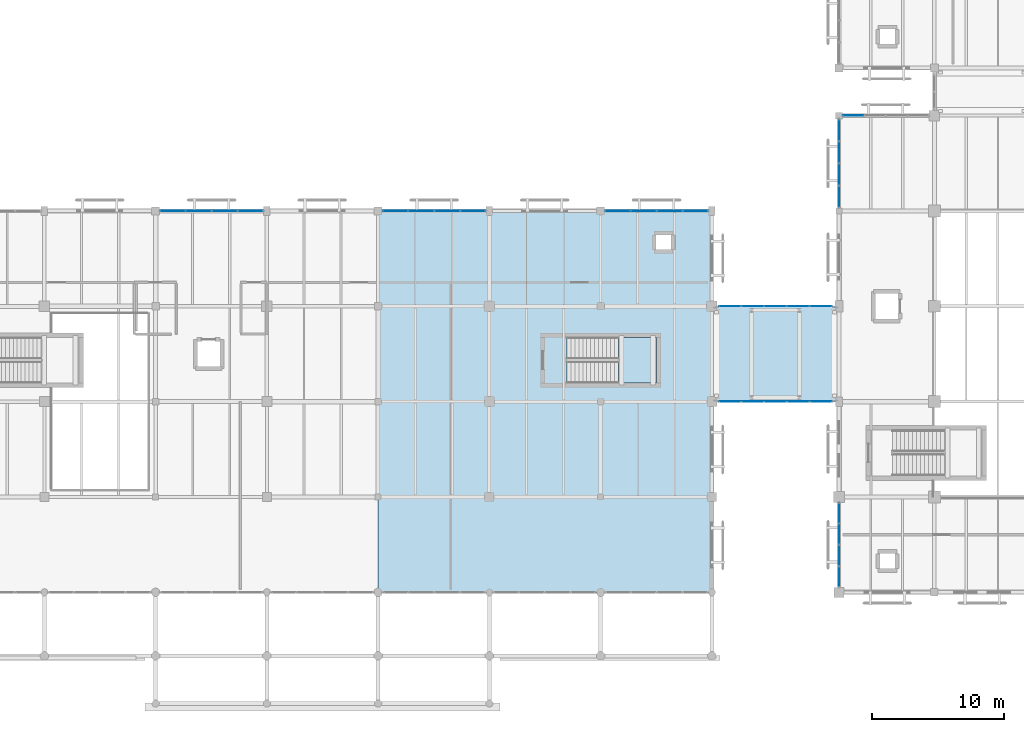
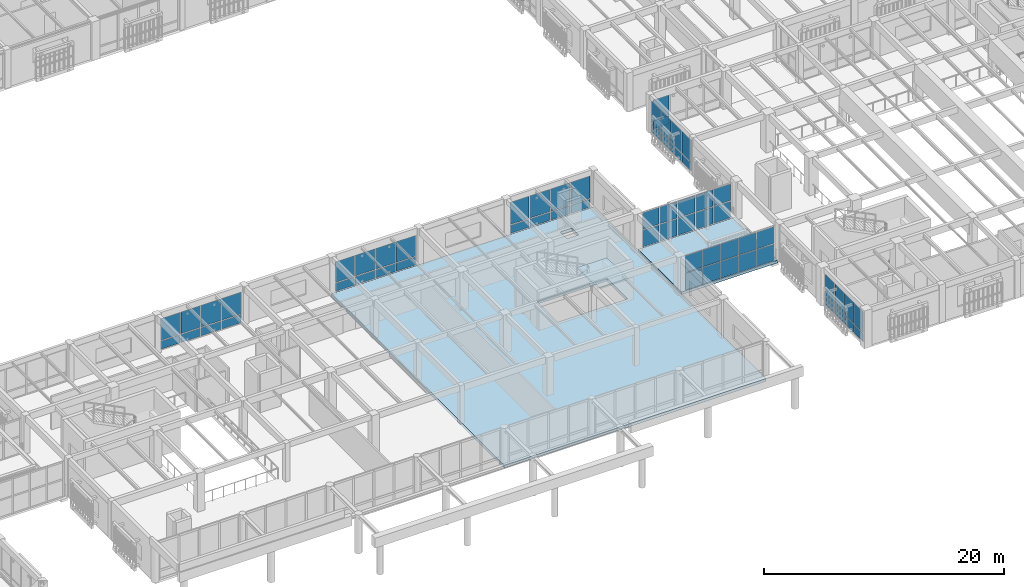
# One storey, part 119 of 170: 62 plates, 3 slabs, 9 elements without a shape of their own.
"""IFC4 building model written with IfcOpenShell, lengths in metres."""

from ifc_helpers import new_model, si_unit, direction, frame, origin, origin_2d, place, context, subcontext, project, spatial, polyline, rectangle, outline, extrude, material, layer, layer_set, type_object, element, aggregate, save


model = new_model("IFC4")

# Units and contexts
model_context = context("Model", 3, precision=1e-05, world=origin(), true_north=direction((0.0, 1.0)))
body_context = subcontext(model_context, "Body", "Model", "MODEL_VIEW")
ifc_project = project(units=[si_unit("LENGTHUNIT", "METRE"), si_unit("AREAUNIT", "SQUARE_METRE"), si_unit("VOLUMEUNIT", "CUBIC_METRE"), si_unit("PLANEANGLEUNIT", "RADIAN"), si_unit("MASSUNIT", "GRAM", prefix="KILO")], contexts=[model_context])

# Site, building, storey
site_placement = place(None, origin())
site = spatial("IfcSite", under=ifc_project, at=site_placement, CompositionType="ELEMENT")
building_placement = place(site_placement, origin())
building = spatial("IfcBuilding", under=site, at=building_placement, Name="Mazaris Harbour Polytechnic", CompositionType="ELEMENT")
storey_placement = place(building_placement, frame((0.0, 0.0, 5.39990234375)))
storey = spatial("IfcBuildingStorey", under=building, at=storey_placement, Name="L01", CompositionType="ELEMENT", Elevation=5.39990234375)

# Slab
ifc_material_1 = material(Name="Glulam GL28h and Concrete C30/37", Category="concrete")
ifc_layer_1 = layer(ifc_material_1, 0.264892578125, Name="Glulam GL28h and Concrete C30/37")
ifc_layer_set_1 = layer_set([ifc_layer_1], Name="Glulam GL28h and Concrete C30/37")
slab_type_1 = type_object("IfcSlabType", Name="CLT Composite Floor 265", PredefinedType="FLOOR", material=ifc_layer_set_1)
slab_1_placement = place(storey_placement, frame((0.0, 0.0, -0.264892578125)))
element("IfcSlab", 1, at=slab_1_placement, inside=storey, type_object=slab_type_1, Name="PB-E1 L01 Bridge Deck", PredefinedType="FLOOR", context=body_context, shape_type="SweptSolid", body=[
    extrude(outline(polyline([(122.25, 21.60009765625), (122.25, 28.800048828125), (112.949951171875, 28.800048828125), (112.949951171875, 21.60009765625), (122.25, 21.60009765625)])), origin(), (0.0, 0.0, 1.0), 0.264892578125),
])

# Curtain wall, plates
ifc_material_2 = material(Name="Anodised Bronze Aluminium and Low-E Glass", Category="aluminium")
ifc_layer_2 = layer(ifc_material_2, 0.159912109375, Name="Anodised Bronze Aluminium and Low-E Glass")
ifc_layer_set_2 = layer_set([ifc_layer_2], Name="Anodised Bronze Aluminium and Low-E Glass")
curtain_wall_type_1 = type_object("IfcCurtainWallType", Name="Cloister Court Curtain Wall", PredefinedType="NOTDEFINED", material=ifc_layer_set_2)
curtain_wall_1_placement = place(storey_placement, origin())
curtain_wall_1 = element("IfcCurtainWall", 2, at=curtain_wall_1_placement, inside=storey, type_object=curtain_wall_type_1, Name="V2 L01 Curtain Wall 43", PredefinedType="NOTDEFINED")
ifc_material_3 = material(Name="Low-E Double Glazing", Category="glass")
ifc_layer_3 = layer(ifc_material_3, 0.028076171875, Name="Low-E Double Glazing")
ifc_layer_set_3 = layer_set([ifc_layer_3], Name="Low-E Double Glazing")
plate_type = type_object("IfcPlateType", Name="Low-E Vision Glass Panel 28", PredefinedType="CURTAIN_PANEL", material=ifc_layer_set_3)
plate_1_placement = place(storey_placement, frame((123.482666015625, 43.199951171875, 0.080078125), z_axis=(0.0, 0.0, 1.0), x_axis=(1.0, 0.0, 0.0)))
plate_1 = element("IfcPlate", 3, at=plate_1_placement, type_object=plate_type, Name="CW-02 panel 1.1", PredefinedType="CURTAIN_PANEL", context=body_context, shape_type="SweptSolid", body=[
    extrude(rectangle(XDim=1.521484375, YDim=0.028076171875, at=origin_2d()), origin(), (0.0, 0.0, 1.0), 0.830078125),
])
plate_2_placement = place(storey_placement, frame((123.482666015625, 43.199951171875, 0.990234375), z_axis=(0.0, 0.0, 1.0), x_axis=(1.0, 0.0, 0.0)))
plate_2 = element("IfcPlate", 4, at=plate_2_placement, type_object=plate_type, Name="CW-02 panel 1.2", PredefinedType="CURTAIN_PANEL", context=body_context, shape_type="SweptSolid", body=[
    extrude(rectangle(XDim=1.521484375, YDim=0.028076171875, at=origin_2d()), origin(), (0.0, 0.0, 1.0), 2.030029296875),
])
aggregate(curtain_wall_1, [plate_1, plate_2])

curtain_wall_2_placement = place(storey_placement, origin())
curtain_wall_2 = element("IfcCurtainWall", 5, at=curtain_wall_2_placement, inside=storey, type_object=curtain_wall_type_1, Name="V2 L01 Curtain Wall 47", PredefinedType="NOTDEFINED")
plate_3_placement = place(storey_placement, frame((122.39990234375, 8.39208984375, 0.080078125), z_axis=(0.0, 0.0, 1.0), x_axis=(0.0, 1.0, 0.0)))
plate_3 = element("IfcPlate", 6, at=plate_3_placement, type_object=plate_type, Name="CW-02 panel 1.1", PredefinedType="CURTAIN_PANEL", context=body_context, shape_type="SweptSolid", body=[
    extrude(rectangle(XDim=1.490234375, YDim=0.028076171875, at=origin_2d()), origin(), (0.0, 0.0, 1.0), 0.830078125),
])
plate_4_placement = place(storey_placement, frame((122.39990234375, 8.39208984375, 0.990234375), z_axis=(0.0, 0.0, 1.0), x_axis=(0.0, 1.0, 0.0)))
plate_4 = element("IfcPlate", 7, at=plate_4_placement, type_object=plate_type, Name="CW-02 panel 1.2", PredefinedType="CURTAIN_PANEL", context=body_context, shape_type="SweptSolid", body=[
    extrude(rectangle(XDim=1.490234375, YDim=0.028076171875, at=origin_2d()), origin(), (0.0, 0.0, 1.0), 2.18994140625),
])
plate_5_placement = place(storey_placement, frame((122.39990234375, 9.982421875, 0.080078125), z_axis=(0.0, 0.0, 1.0), x_axis=(0.0, 1.0, 0.0)))
plate_5 = element("IfcPlate", 8, at=plate_5_placement, type_object=plate_type, Name="CW-02 panel 2.1", PredefinedType="CURTAIN_PANEL", context=body_context, shape_type="SweptSolid", body=[
    extrude(rectangle(XDim=1.5302734375, YDim=0.028076171875, at=origin_2d()), origin(), (0.0, 0.0, 1.0), 0.830078125),
])
plate_6_placement = place(storey_placement, frame((122.39990234375, 9.982421875, 0.990234375), z_axis=(0.0, 0.0, 1.0), x_axis=(0.0, 1.0, 0.0)))
plate_6 = element("IfcPlate", 9, at=plate_6_placement, type_object=plate_type, Name="CW-02 panel 2.2", PredefinedType="CURTAIN_PANEL", context=body_context, shape_type="SweptSolid", body=[
    extrude(rectangle(XDim=1.5302734375, YDim=0.028076171875, at=origin_2d()), origin(), (0.0, 0.0, 1.0), 2.18994140625),
])
plate_7_placement = place(storey_placement, frame((122.39990234375, 11.592529296875, 0.080078125), z_axis=(0.0, 0.0, 1.0), x_axis=(0.0, 1.0, 0.0)))
plate_7 = element("IfcPlate", 10, at=plate_7_placement, type_object=plate_type, Name="CW-02 panel 3.1", PredefinedType="CURTAIN_PANEL", context=body_context, shape_type="SweptSolid", body=[
    extrude(rectangle(XDim=1.5302734375, YDim=0.028076171875, at=origin_2d()), origin(), (0.0, 0.0, 1.0), 0.830078125),
])
plate_8_placement = place(storey_placement, frame((122.39990234375, 11.592529296875, 0.990234375), z_axis=(0.0, 0.0, 1.0), x_axis=(0.0, 1.0, 0.0)))
plate_8 = element("IfcPlate", 11, at=plate_8_placement, type_object=plate_type, Name="CW-02 panel 3.2", PredefinedType="CURTAIN_PANEL", context=body_context, shape_type="SweptSolid", body=[
    extrude(rectangle(XDim=1.5302734375, YDim=0.028076171875, at=origin_2d()), origin(), (0.0, 0.0, 1.0), 2.18994140625),
])
plate_9_placement = place(storey_placement, frame((122.39990234375, 13.182861328125, 0.080078125), z_axis=(0.0, 0.0, 1.0), x_axis=(0.0, 1.0, 0.0)))
plate_9 = element("IfcPlate", 12, at=plate_9_placement, type_object=plate_type, Name="CW-02 panel 4.1", PredefinedType="CURTAIN_PANEL", context=body_context, shape_type="SweptSolid", body=[
    extrude(rectangle(XDim=1.490234375, YDim=0.028076171875, at=origin_2d()), origin(), (0.0, 0.0, 1.0), 0.830078125),
])
plate_10_placement = place(storey_placement, frame((122.39990234375, 13.182861328125, 0.990234375), z_axis=(0.0, 0.0, 1.0), x_axis=(0.0, 1.0, 0.0)))
plate_10 = element("IfcPlate", 13, at=plate_10_placement, type_object=plate_type, Name="CW-02 panel 4.2", PredefinedType="CURTAIN_PANEL", context=body_context, shape_type="SweptSolid", body=[
    extrude(rectangle(XDim=1.490234375, YDim=0.028076171875, at=origin_2d()), origin(), (0.0, 0.0, 1.0), 2.18994140625),
])
aggregate(curtain_wall_2, [plate_3, plate_4, plate_5, plate_6, plate_7, plate_8, plate_9, plate_10])

curtain_wall_3_placement = place(storey_placement, origin())
curtain_wall_3 = element("IfcCurtainWall", 14, at=curtain_wall_3_placement, inside=storey, type_object=curtain_wall_type_1, Name="V2 L01 Curtain Wall 48", PredefinedType="NOTDEFINED")
plate_11_placement = place(storey_placement, frame((122.39990234375, 37.07958984375, 0.080078125), z_axis=(0.0, 0.0, 1.0), x_axis=(0.0, 1.0, 0.0)))
plate_11 = element("IfcPlate", 15, at=plate_11_placement, type_object=plate_type, Name="CW-02 panel 1.1", PredefinedType="CURTAIN_PANEL", context=body_context, shape_type="SweptSolid", body=[
    extrude(rectangle(XDim=1.565185546875, YDim=0.028076171875, at=origin_2d()), origin(), (0.0, 0.0, 1.0), 0.830078125),
])
plate_12_placement = place(storey_placement, frame((122.39990234375, 37.07958984375, 0.989990234375), z_axis=(0.0, 0.0, 1.0), x_axis=(0.0, 1.0, 0.0)))
plate_12 = element("IfcPlate", 16, at=plate_12_placement, type_object=plate_type, Name="CW-02 panel 1.2", PredefinedType="CURTAIN_PANEL", context=body_context, shape_type="SweptSolid", body=[
    extrude(rectangle(XDim=1.565185546875, YDim=0.028076171875, at=origin_2d()), origin(), (0.0, 0.0, 1.0), 2.25),
])
plate_13_placement = place(storey_placement, frame((122.39990234375, 38.744873046875, 0.080078125), z_axis=(0.0, 0.0, 1.0), x_axis=(0.0, 1.0, 0.0)))
plate_13 = element("IfcPlate", 17, at=plate_13_placement, type_object=plate_type, Name="CW-02 panel 2.1", PredefinedType="CURTAIN_PANEL", context=body_context, shape_type="SweptSolid", body=[
    extrude(rectangle(XDim=1.605224609375, YDim=0.028076171875, at=origin_2d()), origin(), (0.0, 0.0, 1.0), 0.830078125),
])
plate_14_placement = place(storey_placement, frame((122.39990234375, 38.744873046875, 0.989990234375), z_axis=(0.0, 0.0, 1.0), x_axis=(0.0, 1.0, 0.0)))
plate_14 = element("IfcPlate", 18, at=plate_14_placement, type_object=plate_type, Name="CW-02 panel 2.2", PredefinedType="CURTAIN_PANEL", context=body_context, shape_type="SweptSolid", body=[
    extrude(rectangle(XDim=1.605224609375, YDim=0.028076171875, at=origin_2d()), origin(), (0.0, 0.0, 1.0), 2.25),
])
plate_15_placement = place(storey_placement, frame((122.39990234375, 40.43017578125, 0.080078125), z_axis=(0.0, 0.0, 1.0), x_axis=(0.0, 1.0, 0.0)))
plate_15 = element("IfcPlate", 19, at=plate_15_placement, type_object=plate_type, Name="CW-02 panel 3.1", PredefinedType="CURTAIN_PANEL", context=body_context, shape_type="SweptSolid", body=[
    extrude(rectangle(XDim=1.605224609375, YDim=0.028076171875, at=origin_2d()), origin(), (0.0, 0.0, 1.0), 0.830078125),
])
plate_16_placement = place(storey_placement, frame((122.39990234375, 40.43017578125, 0.989990234375), z_axis=(0.0, 0.0, 1.0), x_axis=(0.0, 1.0, 0.0)))
plate_16 = element("IfcPlate", 20, at=plate_16_placement, type_object=plate_type, Name="CW-02 panel 3.2", PredefinedType="CURTAIN_PANEL", context=body_context, shape_type="SweptSolid", body=[
    extrude(rectangle(XDim=1.605224609375, YDim=0.028076171875, at=origin_2d()), origin(), (0.0, 0.0, 1.0), 2.25),
])
plate_17_placement = place(storey_placement, frame((122.39990234375, 42.095458984375, 0.080078125), z_axis=(0.0, 0.0, 1.0), x_axis=(0.0, 1.0, 0.0)))
plate_17 = element("IfcPlate", 21, at=plate_17_placement, type_object=plate_type, Name="CW-02 panel 4.1", PredefinedType="CURTAIN_PANEL", context=body_context, shape_type="SweptSolid", body=[
    extrude(rectangle(XDim=1.565185546875, YDim=0.028076171875, at=origin_2d()), origin(), (0.0, 0.0, 1.0), 0.830078125),
])
plate_18_placement = place(storey_placement, frame((122.39990234375, 42.095458984375, 0.989990234375), z_axis=(0.0, 0.0, 1.0), x_axis=(0.0, 1.0, 0.0)))
plate_18 = element("IfcPlate", 22, at=plate_18_placement, type_object=plate_type, Name="CW-02 panel 4.2", PredefinedType="CURTAIN_PANEL", context=body_context, shape_type="SweptSolid", body=[
    extrude(rectangle(XDim=1.565185546875, YDim=0.028076171875, at=origin_2d()), origin(), (0.0, 0.0, 1.0), 2.25),
])
aggregate(curtain_wall_3, [plate_11, plate_12, plate_13, plate_14, plate_15, plate_16, plate_17, plate_18])

curtain_wall_4_placement = place(storey_placement, origin())
curtain_wall_4 = element("IfcCurtainWall", 23, at=curtain_wall_4_placement, inside=storey, type_object=curtain_wall_type_1, Name="V3 L01 Curtain Wall 76", PredefinedType="NOTDEFINED")
plate_19_placement = place(storey_placement, frame((72.09521484375, 36.0, 0.080078125), z_axis=(0.0, 0.0, 1.0), x_axis=(1.0, 0.0, 0.0)))
plate_19 = element("IfcPlate", 24, at=plate_19_placement, type_object=plate_type, Name="CW-02 panel 1.1", PredefinedType="CURTAIN_PANEL", context=body_context, shape_type="SweptSolid", body=[
    extrude(rectangle(XDim=1.846435546875, YDim=0.028076171875, at=origin_2d()), origin(), (0.0, 0.0, 1.0), 0.830078125),
])
plate_20_placement = place(storey_placement, frame((72.09521484375, 36.0, 0.990234375), z_axis=(0.0, 0.0, 1.0), x_axis=(1.0, 0.0, 0.0)))
plate_20 = element("IfcPlate", 25, at=plate_20_placement, type_object=plate_type, Name="CW-02 panel 1.2", PredefinedType="CURTAIN_PANEL", context=body_context, shape_type="SweptSolid", body=[
    extrude(rectangle(XDim=1.846435546875, YDim=0.028076171875, at=origin_2d()), origin(), (0.0, 0.0, 1.0), 2.199951171875),
])
plate_21_placement = place(storey_placement, frame((74.041748046875, 36.0, 0.080078125), z_axis=(0.0, 0.0, 1.0), x_axis=(1.0, 0.0, 0.0)))
plate_21 = element("IfcPlate", 26, at=plate_21_placement, type_object=plate_type, Name="CW-02 panel 2.1", PredefinedType="CURTAIN_PANEL", context=body_context, shape_type="SweptSolid", body=[
    extrude(rectangle(XDim=1.886474609375, YDim=0.028076171875, at=origin_2d()), origin(), (0.0, 0.0, 1.0), 0.830078125),
])
plate_22_placement = place(storey_placement, frame((74.041748046875, 36.0, 0.990234375), z_axis=(0.0, 0.0, 1.0), x_axis=(1.0, 0.0, 0.0)))
plate_22 = element("IfcPlate", 27, at=plate_22_placement, type_object=plate_type, Name="CW-02 panel 2.2", PredefinedType="CURTAIN_PANEL", context=body_context, shape_type="SweptSolid", body=[
    extrude(rectangle(XDim=1.886474609375, YDim=0.028076171875, at=origin_2d()), origin(), (0.0, 0.0, 1.0), 2.199951171875),
])
plate_23_placement = place(storey_placement, frame((76.00830078125, 36.0, 0.080078125), z_axis=(0.0, 0.0, 1.0), x_axis=(1.0, 0.0, 0.0)))
plate_23 = element("IfcPlate", 28, at=plate_23_placement, type_object=plate_type, Name="CW-02 panel 3.1", PredefinedType="CURTAIN_PANEL", context=body_context, shape_type="SweptSolid", body=[
    extrude(rectangle(XDim=1.886474609375, YDim=0.028076171875, at=origin_2d()), origin(), (0.0, 0.0, 1.0), 0.830078125),
])
plate_24_placement = place(storey_placement, frame((76.00830078125, 36.0, 0.990234375), z_axis=(0.0, 0.0, 1.0), x_axis=(1.0, 0.0, 0.0)))
plate_24 = element("IfcPlate", 29, at=plate_24_placement, type_object=plate_type, Name="CW-02 panel 3.2", PredefinedType="CURTAIN_PANEL", context=body_context, shape_type="SweptSolid", body=[
    extrude(rectangle(XDim=1.886474609375, YDim=0.028076171875, at=origin_2d()), origin(), (0.0, 0.0, 1.0), 2.199951171875),
])
plate_25_placement = place(storey_placement, frame((77.954833984375, 36.0, 0.080078125), z_axis=(0.0, 0.0, 1.0), x_axis=(1.0, 0.0, 0.0)))
plate_25 = element("IfcPlate", 30, at=plate_25_placement, type_object=plate_type, Name="CW-02 panel 4.1", PredefinedType="CURTAIN_PANEL", context=body_context, shape_type="SweptSolid", body=[
    extrude(rectangle(XDim=1.846435546875, YDim=0.028076171875, at=origin_2d()), origin(), (0.0, 0.0, 1.0), 0.830078125),
])
plate_26_placement = place(storey_placement, frame((77.954833984375, 36.0, 0.990234375), z_axis=(0.0, 0.0, 1.0), x_axis=(1.0, 0.0, 0.0)))
plate_26 = element("IfcPlate", 31, at=plate_26_placement, type_object=plate_type, Name="CW-02 panel 4.2", PredefinedType="CURTAIN_PANEL", context=body_context, shape_type="SweptSolid", body=[
    extrude(rectangle(XDim=1.846435546875, YDim=0.028076171875, at=origin_2d()), origin(), (0.0, 0.0, 1.0), 2.199951171875),
])
aggregate(curtain_wall_4, [plate_19, plate_20, plate_21, plate_22, plate_23, plate_24, plate_25, plate_26])

curtain_wall_5_placement = place(storey_placement, origin())
curtain_wall_5 = element("IfcCurtainWall", 32, at=curtain_wall_5_placement, inside=storey, type_object=curtain_wall_type_1, Name="V3 L01 Curtain Wall 77", PredefinedType="NOTDEFINED")
plate_27_placement = place(storey_placement, frame((88.895263671875, 36.0, 0.080078125), z_axis=(0.0, 0.0, 1.0), x_axis=(1.0, 0.0, 0.0)))
plate_27 = element("IfcPlate", 33, at=plate_27_placement, type_object=plate_type, Name="CW-02 panel 1.1", PredefinedType="CURTAIN_PANEL", context=body_context, shape_type="SweptSolid", body=[
    extrude(rectangle(XDim=1.846435546875, YDim=0.028076171875, at=origin_2d()), origin(), (0.0, 0.0, 1.0), 0.830078125),
])
plate_28_placement = place(storey_placement, frame((88.895263671875, 36.0, 0.989990234375), z_axis=(0.0, 0.0, 1.0), x_axis=(1.0, 0.0, 0.0)))
plate_28 = element("IfcPlate", 34, at=plate_28_placement, type_object=plate_type, Name="CW-02 panel 1.2", PredefinedType="CURTAIN_PANEL", context=body_context, shape_type="SweptSolid", body=[
    extrude(rectangle(XDim=1.846435546875, YDim=0.028076171875, at=origin_2d()), origin(), (0.0, 0.0, 1.0), 2.10009765625),
])
plate_29_placement = place(storey_placement, frame((90.841796875, 36.0, 0.080078125), z_axis=(0.0, 0.0, 1.0), x_axis=(1.0, 0.0, 0.0)))
plate_29 = element("IfcPlate", 35, at=plate_29_placement, type_object=plate_type, Name="CW-02 panel 2.1", PredefinedType="CURTAIN_PANEL", context=body_context, shape_type="SweptSolid", body=[
    extrude(rectangle(XDim=1.886474609375, YDim=0.028076171875, at=origin_2d()), origin(), (0.0, 0.0, 1.0), 0.830078125),
])
plate_30_placement = place(storey_placement, frame((90.841796875, 36.0, 0.989990234375), z_axis=(0.0, 0.0, 1.0), x_axis=(1.0, 0.0, 0.0)))
plate_30 = element("IfcPlate", 36, at=plate_30_placement, type_object=plate_type, Name="CW-02 panel 2.2", PredefinedType="CURTAIN_PANEL", context=body_context, shape_type="SweptSolid", body=[
    extrude(rectangle(XDim=1.886474609375, YDim=0.028076171875, at=origin_2d()), origin(), (0.0, 0.0, 1.0), 2.10009765625),
])
plate_31_placement = place(storey_placement, frame((92.808349609375, 36.0, 0.080078125), z_axis=(0.0, 0.0, 1.0), x_axis=(1.0, 0.0, 0.0)))
plate_31 = element("IfcPlate", 37, at=plate_31_placement, type_object=plate_type, Name="CW-02 panel 3.1", PredefinedType="CURTAIN_PANEL", context=body_context, shape_type="SweptSolid", body=[
    extrude(rectangle(XDim=1.886474609375, YDim=0.028076171875, at=origin_2d()), origin(), (0.0, 0.0, 1.0), 0.830078125),
])
plate_32_placement = place(storey_placement, frame((92.808349609375, 36.0, 0.989990234375), z_axis=(0.0, 0.0, 1.0), x_axis=(1.0, 0.0, 0.0)))
plate_32 = element("IfcPlate", 38, at=plate_32_placement, type_object=plate_type, Name="CW-02 panel 3.2", PredefinedType="CURTAIN_PANEL", context=body_context, shape_type="SweptSolid", body=[
    extrude(rectangle(XDim=1.886474609375, YDim=0.028076171875, at=origin_2d()), origin(), (0.0, 0.0, 1.0), 2.10009765625),
])
plate_33_placement = place(storey_placement, frame((94.754638671875, 36.0, 0.080078125), z_axis=(0.0, 0.0, 1.0), x_axis=(1.0, 0.0, 0.0)))
plate_33 = element("IfcPlate", 39, at=plate_33_placement, type_object=plate_type, Name="CW-02 panel 4.1", PredefinedType="CURTAIN_PANEL", context=body_context, shape_type="SweptSolid", body=[
    extrude(rectangle(XDim=1.846435546875, YDim=0.028076171875, at=origin_2d()), origin(), (0.0, 0.0, 1.0), 0.830078125),
])
plate_34_placement = place(storey_placement, frame((94.754638671875, 36.0, 0.989990234375), z_axis=(0.0, 0.0, 1.0), x_axis=(1.0, 0.0, 0.0)))
plate_34 = element("IfcPlate", 40, at=plate_34_placement, type_object=plate_type, Name="CW-02 panel 4.2", PredefinedType="CURTAIN_PANEL", context=body_context, shape_type="SweptSolid", body=[
    extrude(rectangle(XDim=1.846435546875, YDim=0.028076171875, at=origin_2d()), origin(), (0.0, 0.0, 1.0), 2.10009765625),
])
aggregate(curtain_wall_5, [plate_27, plate_28, plate_29, plate_30, plate_31, plate_32, plate_33, plate_34])

curtain_wall_6_placement = place(storey_placement, origin())
curtain_wall_6 = element("IfcCurtainWall", 41, at=curtain_wall_6_placement, inside=storey, type_object=curtain_wall_type_1, Name="V3 L01 Curtain Wall 78", PredefinedType="NOTDEFINED")
plate_35_placement = place(storey_placement, frame((105.6953125, 36.0, 0.080078125), z_axis=(0.0, 0.0, 1.0), x_axis=(1.0, 0.0, 0.0)))
plate_35 = element("IfcPlate", 42, at=plate_35_placement, type_object=plate_type, Name="CW-02 panel 1.1", PredefinedType="CURTAIN_PANEL", context=body_context, shape_type="SweptSolid", body=[
    extrude(rectangle(XDim=1.846435546875, YDim=0.028076171875, at=origin_2d()), origin(), (0.0, 0.0, 1.0), 0.830078125),
])
plate_36_placement = place(storey_placement, frame((105.6953125, 36.0, 0.990234375), z_axis=(0.0, 0.0, 1.0), x_axis=(1.0, 0.0, 0.0)))
plate_36 = element("IfcPlate", 43, at=plate_36_placement, type_object=plate_type, Name="CW-02 panel 1.2", PredefinedType="CURTAIN_PANEL", context=body_context, shape_type="SweptSolid", body=[
    extrude(rectangle(XDim=1.846435546875, YDim=0.028076171875, at=origin_2d()), origin(), (0.0, 0.0, 1.0), 2.260009765625),
])
plate_37_placement = place(storey_placement, frame((107.641845703125, 36.0, 0.080078125), z_axis=(0.0, 0.0, 1.0), x_axis=(1.0, 0.0, 0.0)))
plate_37 = element("IfcPlate", 44, at=plate_37_placement, type_object=plate_type, Name="CW-02 panel 2.1", PredefinedType="CURTAIN_PANEL", context=body_context, shape_type="SweptSolid", body=[
    extrude(rectangle(XDim=1.886474609375, YDim=0.028076171875, at=origin_2d()), origin(), (0.0, 0.0, 1.0), 0.830078125),
])
plate_38_placement = place(storey_placement, frame((107.641845703125, 36.0, 0.990234375), z_axis=(0.0, 0.0, 1.0), x_axis=(1.0, 0.0, 0.0)))
plate_38 = element("IfcPlate", 45, at=plate_38_placement, type_object=plate_type, Name="CW-02 panel 2.2", PredefinedType="CURTAIN_PANEL", context=body_context, shape_type="SweptSolid", body=[
    extrude(rectangle(XDim=1.886474609375, YDim=0.028076171875, at=origin_2d()), origin(), (0.0, 0.0, 1.0), 2.260009765625),
])
plate_39_placement = place(storey_placement, frame((109.608154296875, 36.0, 0.080078125), z_axis=(0.0, 0.0, 1.0), x_axis=(1.0, 0.0, 0.0)))
plate_39 = element("IfcPlate", 46, at=plate_39_placement, type_object=plate_type, Name="CW-02 panel 3.1", PredefinedType="CURTAIN_PANEL", context=body_context, shape_type="SweptSolid", body=[
    extrude(rectangle(XDim=1.886474609375, YDim=0.028076171875, at=origin_2d()), origin(), (0.0, 0.0, 1.0), 0.830078125),
])
plate_40_placement = place(storey_placement, frame((109.608154296875, 36.0, 0.990234375), z_axis=(0.0, 0.0, 1.0), x_axis=(1.0, 0.0, 0.0)))
plate_40 = element("IfcPlate", 47, at=plate_40_placement, type_object=plate_type, Name="CW-02 panel 3.2", PredefinedType="CURTAIN_PANEL", context=body_context, shape_type="SweptSolid", body=[
    extrude(rectangle(XDim=1.886474609375, YDim=0.028076171875, at=origin_2d()), origin(), (0.0, 0.0, 1.0), 2.260009765625),
])
plate_41_placement = place(storey_placement, frame((111.5546875, 36.0, 0.080078125), z_axis=(0.0, 0.0, 1.0), x_axis=(1.0, 0.0, 0.0)))
plate_41 = element("IfcPlate", 48, at=plate_41_placement, type_object=plate_type, Name="CW-02 panel 4.1", PredefinedType="CURTAIN_PANEL", context=body_context, shape_type="SweptSolid", body=[
    extrude(rectangle(XDim=1.846435546875, YDim=0.028076171875, at=origin_2d()), origin(), (0.0, 0.0, 1.0), 0.830078125),
])
plate_42_placement = place(storey_placement, frame((111.5546875, 36.0, 0.990234375), z_axis=(0.0, 0.0, 1.0), x_axis=(1.0, 0.0, 0.0)))
plate_42 = element("IfcPlate", 49, at=plate_42_placement, type_object=plate_type, Name="CW-02 panel 4.2", PredefinedType="CURTAIN_PANEL", context=body_context, shape_type="SweptSolid", body=[
    extrude(rectangle(XDim=1.846435546875, YDim=0.028076171875, at=origin_2d()), origin(), (0.0, 0.0, 1.0), 2.260009765625),
])
aggregate(curtain_wall_6, [plate_35, plate_36, plate_37, plate_38, plate_39, plate_40, plate_41, plate_42])

ifc_material_4 = material(Name="Anodised Bronze Aluminium and Low-E Glass", Category="aluminium")
ifc_layer_4 = layer(ifc_material_4, 0.139892578125, Name="Anodised Bronze Aluminium and Low-E Glass")
ifc_layer_set_4 = layer_set([ifc_layer_4], Name="Anodised Bronze Aluminium and Low-E Glass")
curtain_wall_type_2 = type_object("IfcCurtainWallType", Name="Seismic Link Bridge Glazing", PredefinedType="NOTDEFINED", material=ifc_layer_set_4)
curtain_wall_7_placement = place(storey_placement, origin())
curtain_wall_7 = element("IfcCurtainWall", 50, at=curtain_wall_7_placement, inside=storey, type_object=curtain_wall_type_2, Name="PB-E1 L01 Bridge Glazing", PredefinedType="NOTDEFINED")
plate_43_placement = place(storey_placement, frame((114.1640625, 21.60009765625, 0.080078125), z_axis=(0.0, 0.0, 1.0), x_axis=(1.0, 0.0, 0.0)))
plate_43 = element("IfcPlate", 51, at=plate_43_placement, type_object=plate_type, Name="CW-05 panel 1.1", PredefinedType="CURTAIN_PANEL", context=body_context, shape_type="SweptSolid", body=[
    extrude(rectangle(XDim=1.60791015625, YDim=0.028076171875, at=origin_2d()), origin(), (0.0, 0.0, 1.0), 1.697509765625),
])
plate_44_placement = place(storey_placement, frame((114.1640625, 21.60009765625, 1.857421875), z_axis=(0.0, 0.0, 1.0), x_axis=(1.0, 0.0, 0.0)))
plate_44 = element("IfcPlate", 52, at=plate_44_placement, type_object=plate_type, Name="CW-05 panel 1.2", PredefinedType="CURTAIN_PANEL", context=body_context, shape_type="SweptSolid", body=[
    extrude(rectangle(XDim=1.60791015625, YDim=0.028076171875, at=origin_2d()), origin(), (0.0, 0.0, 1.0), 1.697509765625),
])
plate_45_placement = place(storey_placement, frame((115.8720703125, 21.60009765625, 0.080078125), z_axis=(0.0, 0.0, 1.0), x_axis=(1.0, 0.0, 0.0)))
plate_45 = element("IfcPlate", 53, at=plate_45_placement, type_object=plate_type, Name="CW-05 panel 2.1", PredefinedType="CURTAIN_PANEL", context=body_context, shape_type="SweptSolid", body=[
    extrude(rectangle(XDim=1.64794921875, YDim=0.028076171875, at=origin_2d()), origin(), (0.0, 0.0, 1.0), 1.697509765625),
])
plate_46_placement = place(storey_placement, frame((115.8720703125, 21.60009765625, 1.857421875), z_axis=(0.0, 0.0, 1.0), x_axis=(1.0, 0.0, 0.0)))
plate_46 = element("IfcPlate", 54, at=plate_46_placement, type_object=plate_type, Name="CW-05 panel 2.2", PredefinedType="CURTAIN_PANEL", context=body_context, shape_type="SweptSolid", body=[
    extrude(rectangle(XDim=1.64794921875, YDim=0.028076171875, at=origin_2d()), origin(), (0.0, 0.0, 1.0), 1.697509765625),
])
plate_47_placement = place(storey_placement, frame((117.60009765625, 21.60009765625, 0.080078125), z_axis=(0.0, 0.0, 1.0), x_axis=(1.0, 0.0, 0.0)))
plate_47 = element("IfcPlate", 55, at=plate_47_placement, type_object=plate_type, Name="CW-05 panel 3.1", PredefinedType="CURTAIN_PANEL", context=body_context, shape_type="SweptSolid", body=[
    extrude(rectangle(XDim=1.64794921875, YDim=0.028076171875, at=origin_2d()), origin(), (0.0, 0.0, 1.0), 1.697509765625),
])
plate_48_placement = place(storey_placement, frame((117.60009765625, 21.60009765625, 1.857421875), z_axis=(0.0, 0.0, 1.0), x_axis=(1.0, 0.0, 0.0)))
plate_48 = element("IfcPlate", 56, at=plate_48_placement, type_object=plate_type, Name="CW-05 panel 3.2", PredefinedType="CURTAIN_PANEL", context=body_context, shape_type="SweptSolid", body=[
    extrude(rectangle(XDim=1.64794921875, YDim=0.028076171875, at=origin_2d()), origin(), (0.0, 0.0, 1.0), 1.697509765625),
])
plate_49_placement = place(storey_placement, frame((119.327880859375, 21.60009765625, 0.080078125), z_axis=(0.0, 0.0, 1.0), x_axis=(1.0, 0.0, 0.0)))
plate_49 = element("IfcPlate", 57, at=plate_49_placement, type_object=plate_type, Name="CW-05 panel 4.1", PredefinedType="CURTAIN_PANEL", context=body_context, shape_type="SweptSolid", body=[
    extrude(rectangle(XDim=1.64794921875, YDim=0.028076171875, at=origin_2d()), origin(), (0.0, 0.0, 1.0), 1.697509765625),
])
plate_50_placement = place(storey_placement, frame((119.327880859375, 21.60009765625, 1.857421875), z_axis=(0.0, 0.0, 1.0), x_axis=(1.0, 0.0, 0.0)))
plate_50 = element("IfcPlate", 58, at=plate_50_placement, type_object=plate_type, Name="CW-05 panel 4.2", PredefinedType="CURTAIN_PANEL", context=body_context, shape_type="SweptSolid", body=[
    extrude(rectangle(XDim=1.64794921875, YDim=0.028076171875, at=origin_2d()), origin(), (0.0, 0.0, 1.0), 1.697509765625),
])
plate_51_placement = place(storey_placement, frame((121.035888671875, 21.60009765625, 0.080078125), z_axis=(0.0, 0.0, 1.0), x_axis=(1.0, 0.0, 0.0)))
plate_51 = element("IfcPlate", 59, at=plate_51_placement, type_object=plate_type, Name="CW-05 panel 5.1", PredefinedType="CURTAIN_PANEL", context=body_context, shape_type="SweptSolid", body=[
    extrude(rectangle(XDim=1.60791015625, YDim=0.028076171875, at=origin_2d()), origin(), (0.0, 0.0, 1.0), 1.697509765625),
])
plate_52_placement = place(storey_placement, frame((121.035888671875, 21.60009765625, 1.857421875), z_axis=(0.0, 0.0, 1.0), x_axis=(1.0, 0.0, 0.0)))
plate_52 = element("IfcPlate", 60, at=plate_52_placement, type_object=plate_type, Name="CW-05 panel 5.2", PredefinedType="CURTAIN_PANEL", context=body_context, shape_type="SweptSolid", body=[
    extrude(rectangle(XDim=1.60791015625, YDim=0.028076171875, at=origin_2d()), origin(), (0.0, 0.0, 1.0), 1.697509765625),
])
aggregate(curtain_wall_7, [plate_43, plate_44, plate_45, plate_46, plate_47, plate_48, plate_49, plate_50, plate_51, plate_52])

curtain_wall_8_placement = place(storey_placement, origin())
curtain_wall_8 = element("IfcCurtainWall", 61, at=curtain_wall_8_placement, inside=storey, type_object=curtain_wall_type_2, Name="PB-E1 L01 Bridge Glazing", PredefinedType="NOTDEFINED")
plate_53_placement = place(storey_placement, frame((121.035888671875, 28.800048828125, 0.080078125), z_axis=(0.0, 0.0, 1.0), x_axis=(-1.0, 0.0, 0.0)))
plate_53 = element("IfcPlate", 62, at=plate_53_placement, type_object=plate_type, Name="CW-05 panel 1.1", PredefinedType="CURTAIN_PANEL", context=body_context, shape_type="SweptSolid", body=[
    extrude(rectangle(XDim=1.60791015625, YDim=0.028076171875, at=origin_2d()), origin(), (0.0, 0.0, 1.0), 1.697509765625),
])
plate_54_placement = place(storey_placement, frame((121.035888671875, 28.800048828125, 1.857421875), z_axis=(0.0, 0.0, 1.0), x_axis=(-1.0, 0.0, 0.0)))
plate_54 = element("IfcPlate", 63, at=plate_54_placement, type_object=plate_type, Name="CW-05 panel 1.2", PredefinedType="CURTAIN_PANEL", context=body_context, shape_type="SweptSolid", body=[
    extrude(rectangle(XDim=1.60791015625, YDim=0.028076171875, at=origin_2d()), origin(), (0.0, 0.0, 1.0), 1.697509765625),
])
plate_55_placement = place(storey_placement, frame((119.327880859375, 28.800048828125, 0.080078125), z_axis=(0.0, 0.0, 1.0), x_axis=(-1.0, 0.0, 0.0)))
plate_55 = element("IfcPlate", 64, at=plate_55_placement, type_object=plate_type, Name="CW-05 panel 2.1", PredefinedType="CURTAIN_PANEL", context=body_context, shape_type="SweptSolid", body=[
    extrude(rectangle(XDim=1.64794921875, YDim=0.028076171875, at=origin_2d()), origin(), (0.0, 0.0, 1.0), 1.697509765625),
])
plate_56_placement = place(storey_placement, frame((119.327880859375, 28.800048828125, 1.857421875), z_axis=(0.0, 0.0, 1.0), x_axis=(-1.0, 0.0, 0.0)))
plate_56 = element("IfcPlate", 65, at=plate_56_placement, type_object=plate_type, Name="CW-05 panel 2.2", PredefinedType="CURTAIN_PANEL", context=body_context, shape_type="SweptSolid", body=[
    extrude(rectangle(XDim=1.64794921875, YDim=0.028076171875, at=origin_2d()), origin(), (0.0, 0.0, 1.0), 1.697509765625),
])
plate_57_placement = place(storey_placement, frame((117.60009765625, 28.800048828125, 0.080078125), z_axis=(0.0, 0.0, 1.0), x_axis=(-1.0, 0.0, 0.0)))
plate_57 = element("IfcPlate", 66, at=plate_57_placement, type_object=plate_type, Name="CW-05 panel 3.1", PredefinedType="CURTAIN_PANEL", context=body_context, shape_type="SweptSolid", body=[
    extrude(rectangle(XDim=1.64794921875, YDim=0.028076171875, at=origin_2d()), origin(), (0.0, 0.0, 1.0), 1.697509765625),
])
plate_58_placement = place(storey_placement, frame((117.60009765625, 28.800048828125, 1.857421875), z_axis=(0.0, 0.0, 1.0), x_axis=(-1.0, 0.0, 0.0)))
plate_58 = element("IfcPlate", 67, at=plate_58_placement, type_object=plate_type, Name="CW-05 panel 3.2", PredefinedType="CURTAIN_PANEL", context=body_context, shape_type="SweptSolid", body=[
    extrude(rectangle(XDim=1.64794921875, YDim=0.028076171875, at=origin_2d()), origin(), (0.0, 0.0, 1.0), 1.697509765625),
])
plate_59_placement = place(storey_placement, frame((115.8720703125, 28.800048828125, 0.080078125), z_axis=(0.0, 0.0, 1.0), x_axis=(-1.0, 0.0, 0.0)))
plate_59 = element("IfcPlate", 68, at=plate_59_placement, type_object=plate_type, Name="CW-05 panel 4.1", PredefinedType="CURTAIN_PANEL", context=body_context, shape_type="SweptSolid", body=[
    extrude(rectangle(XDim=1.64794921875, YDim=0.028076171875, at=origin_2d()), origin(), (0.0, 0.0, 1.0), 1.697509765625),
])
plate_60_placement = place(storey_placement, frame((115.8720703125, 28.800048828125, 1.857421875), z_axis=(0.0, 0.0, 1.0), x_axis=(-1.0, 0.0, 0.0)))
plate_60 = element("IfcPlate", 69, at=plate_60_placement, type_object=plate_type, Name="CW-05 panel 4.2", PredefinedType="CURTAIN_PANEL", context=body_context, shape_type="SweptSolid", body=[
    extrude(rectangle(XDim=1.64794921875, YDim=0.028076171875, at=origin_2d()), origin(), (0.0, 0.0, 1.0), 1.697509765625),
])
plate_61_placement = place(storey_placement, frame((114.1640625, 28.800048828125, 0.080078125), z_axis=(0.0, 0.0, 1.0), x_axis=(-1.0, 0.0, 0.0)))
plate_61 = element("IfcPlate", 70, at=plate_61_placement, type_object=plate_type, Name="CW-05 panel 5.1", PredefinedType="CURTAIN_PANEL", context=body_context, shape_type="SweptSolid", body=[
    extrude(rectangle(XDim=1.60791015625, YDim=0.028076171875, at=origin_2d()), origin(), (0.0, 0.0, 1.0), 1.697509765625),
])
plate_62_placement = place(storey_placement, frame((114.1640625, 28.800048828125, 1.857421875), z_axis=(0.0, 0.0, 1.0), x_axis=(-1.0, 0.0, 0.0)))
plate_62 = element("IfcPlate", 71, at=plate_62_placement, type_object=plate_type, Name="CW-05 panel 5.2", PredefinedType="CURTAIN_PANEL", context=body_context, shape_type="SweptSolid", body=[
    extrude(rectangle(XDim=1.60791015625, YDim=0.028076171875, at=origin_2d()), origin(), (0.0, 0.0, 1.0), 1.697509765625),
])
aggregate(curtain_wall_8, [plate_53, plate_54, plate_55, plate_56, plate_57, plate_58, plate_59, plate_60, plate_61, plate_62])

# Slab
ifc_material_5 = material(Name="Concrete C35/45", Category="concrete")
ifc_layer_5 = layer(ifc_material_5, 0.300048828125, Name="Concrete C35/45")
ifc_layer_set_5 = layer_set([ifc_layer_5], Name="Concrete C35/45")
slab_type_2 = type_object("IfcSlabType", Name="RC Podium Slab 300", PredefinedType="FLOOR", material=ifc_layer_set_5)
slab_2_placement = place(storey_placement, frame((0.0, 0.0, -0.2998046875)))
element("IfcSlab", 72, at=slab_2_placement, inside=storey, type_object=slab_type_2, Name="V3 L01 Floor Slab", PredefinedType="FLOOR", context=body_context, shape_type="SweptSolid", body=[
    extrude(outline(polyline([(112.800048828125, 36.0), (112.800048828125, 7.199951171875), (87.60009765625, 7.199951171875), (87.60009765625, 36.0), (112.800048828125, 36.0)]), holes=[polyline([(101.875, 26.449951171875), (101.875, 23.0), (108.60009765625, 23.0), (108.60009765625, 26.449951171875), (101.875, 26.449951171875)]), polyline([(108.580078125, 34.199951171875), (108.580078125, 33.080078125), (109.699951171875, 33.080078125), (109.699951171875, 34.199951171875), (108.580078125, 34.199951171875)])]), origin(), (0.0, 0.0, 1.0), 0.2998046875),
])

# Stair, slab
ifc_material_6 = material(Name="Concrete C40/50", Category="concrete")
stair_type = type_object("IfcStairType", Name="Core Exit Stair H4200", PredefinedType="HALF_TURN_STAIR", material=ifc_material_6)
stair_placement = place(storey_placement, origin())
stair = element("IfcStair", 73, at=stair_placement, inside=storey, type_object=stair_type, Name="L01 ST06", PredefinedType="HALF_TURN_STAIR")
ifc_material_7 = material(Name="Concrete C40/50", Category="concrete")
ifc_layer_6 = layer(ifc_material_7, 0.199951171875, Name="Concrete C40/50")
ifc_layer_set_6 = layer_set([ifc_layer_6], Name="Concrete C40/50")
slab_type_3 = type_object("IfcSlabType", Name="RC Stair Landing 200", PredefinedType="LANDING", material=ifc_layer_set_6)
slab_3_placement = place(storey_placement, frame((0.0, 0.0, 1.900146484375)))
slab_3 = element("IfcSlab", 74, at=slab_3_placement, type_object=slab_type_3, Name="ST06 landing 1", PredefinedType="LANDING", context=body_context, shape_type="SweptSolid", body=[
    extrude(outline(polyline([(105.75, 23.0), (108.60009765625, 23.0), (108.60009765625, 26.449951171875), (105.75, 26.449951171875), (105.75, 23.0)])), origin(), (0.0, 0.0, 1.0), 0.199951171875),
])
aggregate(stair, [slab_3])

save(model, "model.ifc")
